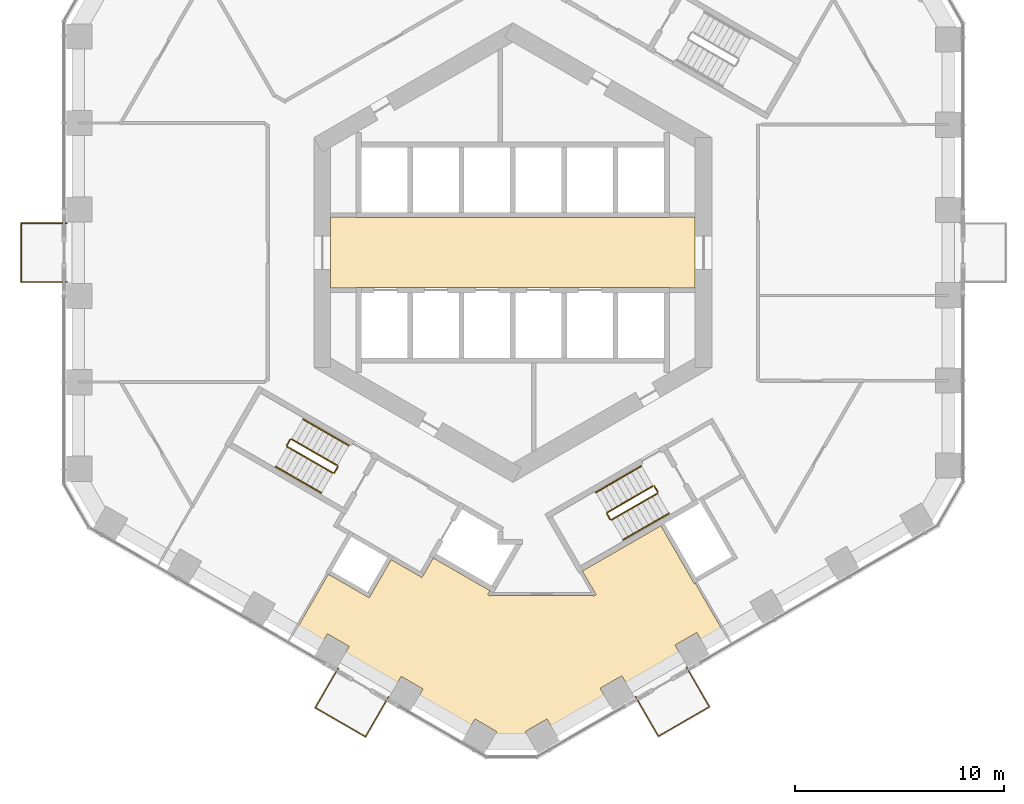
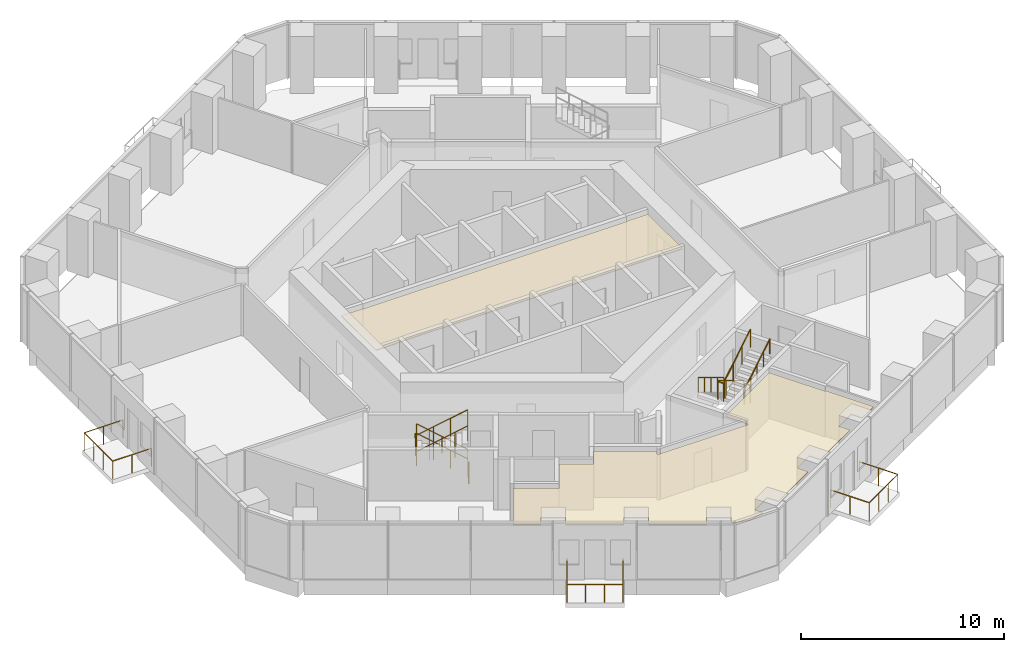
# One storey, part 18 of 20: 19 railings, 2 coverings.
"""IFC4 building model written with IfcOpenShell, lengths in metres."""

from ifc_helpers import new_model, si_unit, direction, frame, origin, origin_2d, place, context, subcontext, project, spatial, polyline, circle, outline, extrude, material, layer, layer_set, type_object, element, save


model = new_model("IFC4")

# Units and contexts
model_context = context("Model", 3, precision=1e-05, world=origin(), true_north=direction((0.0, 1.0)))
body_context = subcontext(model_context, "Body", "Model", "MODEL_VIEW")
ifc_project = project(units=[si_unit("LENGTHUNIT", "METRE"), si_unit("AREAUNIT", "SQUARE_METRE"), si_unit("VOLUMEUNIT", "CUBIC_METRE"), si_unit("PLANEANGLEUNIT", "RADIAN"), si_unit("MASSUNIT", "GRAM", prefix="KILO")], contexts=[model_context])

# Site, building, storey
site_placement = place(None, origin())
site = spatial("IfcSite", under=ifc_project, at=site_placement, CompositionType="ELEMENT")
building_placement = place(site_placement, origin())
building = spatial("IfcBuilding", under=site, at=building_placement, Name="Ayvan Gate Tower", CompositionType="ELEMENT")
storey_placement = place(building_placement, frame((0.0, 0.0, 28.89990234375)))
storey = spatial("IfcBuildingStorey", under=building, at=storey_placement, Name="L06", CompositionType="ELEMENT", Elevation=28.89990234375)

# Railings
ifc_material_1 = material(Name="Stainless steel 316 and laminated glass", Category="steel")
railing_type_1 = type_object("IfcRailingType", Name="Balcony balustrade 1100", PredefinedType="BALUSTRADE", material=ifc_material_1)
railing_1_placement = place(storey_placement, frame((-21.275390625, 1.400390625, 0.0)))
element("IfcRailing", 1, at=railing_1_placement, inside=storey, type_object=railing_type_1, Name="Balcony balustrade BAL-L06-3", PredefinedType="BALUSTRADE", context=body_context, shape_type="SweptSolid", body=[
    extrude(circle(Radius=0.02490234375, at=origin_2d()), frame((0.0, 0.0, 1.0751953125), z_axis=(-1.0, 0.0, 0.0), x_axis=(0.0, -1.0, 0.0)), (0.0, 0.0, 1.0), 2.18994140625),
    extrude(circle(Radius=0.02490234375, at=origin_2d()), frame((-2.18994140625, 0.0, 1.0751953125), z_axis=(0.0, -1.0, 0.0), x_axis=(1.0, 0.0, 0.0)), (0.0, 0.0, 1.0), 2.80078125),
    extrude(circle(Radius=0.02490234375, at=origin_2d()), frame((-2.18994140625, -2.80078125, 1.0751953125), z_axis=(1.0, 0.0, 0.0), x_axis=(0.0, 1.0, 0.0)), (0.0, 0.0, 1.0), 2.18994140625),
    extrude(circle(Radius=0.02001953125, at=origin_2d()), origin(), (0.0, 0.0, 1.0), 1.050048828125),
    extrude(circle(Radius=0.02001953125, at=origin_2d()), frame((-1.094970703125, 0.0, 0.0)), (0.0, 0.0, 1.0), 1.050048828125),
    extrude(circle(Radius=0.02001953125, at=origin_2d()), frame((-2.18994140625, 0.0, 0.0)), (0.0, 0.0, 1.0), 1.050048828125),
    extrude(circle(Radius=0.02001953125, at=origin_2d()), frame((-2.18994140625, -0.93359375, 0.0)), (0.0, 0.0, 1.0), 1.050048828125),
    extrude(circle(Radius=0.02001953125, at=origin_2d()), frame((-2.18994140625, -1.8671875, 0.0)), (0.0, 0.0, 1.0), 1.050048828125),
    extrude(circle(Radius=0.02001953125, at=origin_2d()), frame((-2.18994140625, -2.80078125, 0.0)), (0.0, 0.0, 1.0), 1.050048828125),
    extrude(circle(Radius=0.02001953125, at=origin_2d()), frame((-1.094970703125, -2.80078125, 0.0)), (0.0, 0.0, 1.0), 1.050048828125),
    extrude(circle(Radius=0.02001953125, at=origin_2d()), frame((0.0, -2.80078125, 0.0)), (0.0, 0.0, 1.0), 1.050048828125),
])
railing_2_placement = place(storey_placement, frame((-8.3291015625, -19.826171875, 0.0)))
element("IfcRailing", 2, at=railing_2_placement, inside=storey, type_object=railing_type_1, Name="Balcony balustrade BAL-L06-4", PredefinedType="BALUSTRADE", context=body_context, shape_type="SweptSolid", body=[
    extrude(circle(Radius=0.02490234375, at=origin_2d()), frame((0.0, 0.0, 1.0751953125), z_axis=(-0.499963694393, -0.866046363822, 0.0), x_axis=(0.866046363822, -0.499963694393, 0.0)), (0.0, 0.0, 1.0), 2.190185546875),
    extrude(circle(Radius=0.02490234375, at=origin_2d()), frame((-1.094970703125, -1.896728515625, 1.0751953125), z_axis=(0.866013213425, -0.500021113727, 0.0), x_axis=(0.500021113727, 0.866013213425, 0.0)), (0.0, 0.0, 1.0), 2.759765625),
    extrude(circle(Radius=0.02490234375, at=origin_2d()), frame((1.294921875, -3.276611328125, 1.0751953125), z_axis=(0.500047297419, 0.865998094884, 0.0), x_axis=(-0.865998094884, 0.500047297419, 0.0)), (0.0, 0.0, 1.0), 2.190185546875),
    extrude(circle(Radius=0.02001953125, at=origin_2d()), origin(), (0.0, 0.0, 1.0), 1.050048828125),
    extrude(circle(Radius=0.02001953125, at=origin_2d()), frame((-0.54736328125, -0.9482421875, 0.0)), (0.0, 0.0, 1.0), 1.050048828125),
    extrude(circle(Radius=0.02001953125, at=origin_2d()), frame((-1.094970703125, -1.896728515625, 0.0)), (0.0, 0.0, 1.0), 1.050048828125),
    extrude(circle(Radius=0.02001953125, at=origin_2d()), frame((-0.29833984375, -2.356689453125, 0.0)), (0.0, 0.0, 1.0), 1.050048828125),
    extrude(circle(Radius=0.02001953125, at=origin_2d()), frame((0.498291015625, -2.816650390625, 0.0)), (0.0, 0.0, 1.0), 1.050048828125),
    extrude(circle(Radius=0.02001953125, at=origin_2d()), frame((1.294921875, -3.276611328125, 0.0)), (0.0, 0.0, 1.0), 1.050048828125),
    extrude(circle(Radius=0.02001953125, at=origin_2d()), frame((1.842529296875, -2.328125, 0.0)), (0.0, 0.0, 1.0), 1.050048828125),
    extrude(circle(Radius=0.02001953125, at=origin_2d()), frame((2.39013671875, -1.3798828125, 0.0)), (0.0, 0.0, 1.0), 1.050048828125),
])
railing_3_placement = place(storey_placement, frame((5.85595703125, -21.185546875, 0.0)))
element("IfcRailing", 3, at=railing_3_placement, inside=storey, type_object=railing_type_1, Name="Balcony balustrade BAL-L06-5", PredefinedType="BALUSTRADE", context=body_context, shape_type="SweptSolid", body=[
    extrude(circle(Radius=0.02490234375, at=origin_2d()), frame((0.0, 0.0, 1.0751953125), z_axis=(0.500095571584, -0.865970218473, 0.0), x_axis=(0.865970218473, 0.500095571584, 0.0)), (0.0, 0.0, 1.0), 2.18994140625),
    extrude(circle(Radius=0.02490234375, at=origin_2d()), frame((1.09521484375, -1.896484375, 1.0751953125), z_axis=(0.866024457297, 0.500001639361, 0.0), x_axis=(-0.500001639361, 0.866024457297, 0.0)), (0.0, 0.0, 1.0), 2.80078125),
    extrude(circle(Radius=0.02490234375, at=origin_2d()), frame((3.520751953125, -0.49609375, 1.0751953125), z_axis=(-0.500011965869, 0.866018495177, 0.0), x_axis=(-0.866018495177, -0.500011965869, 0.0)), (0.0, 0.0, 1.0), 2.18994140625),
    extrude(circle(Radius=0.02001953125, at=origin_2d()), origin(), (0.0, 0.0, 1.0), 1.050048828125),
    extrude(circle(Radius=0.02001953125, at=origin_2d()), frame((0.547607421875, -0.9482421875, 0.0)), (0.0, 0.0, 1.0), 1.050048828125),
    extrude(circle(Radius=0.02001953125, at=origin_2d()), frame((1.09521484375, -1.896484375, 0.0)), (0.0, 0.0, 1.0), 1.050048828125),
    extrude(circle(Radius=0.02001953125, at=origin_2d()), frame((1.90380859375, -1.4296875, 0.0)), (0.0, 0.0, 1.0), 1.050048828125),
    extrude(circle(Radius=0.02001953125, at=origin_2d()), frame((2.712158203125, -0.962890625, 0.0)), (0.0, 0.0, 1.0), 1.050048828125),
    extrude(circle(Radius=0.02001953125, at=origin_2d()), frame((3.520751953125, -0.49609375, 0.0)), (0.0, 0.0, 1.0), 1.050048828125),
    extrude(circle(Radius=0.02001953125, at=origin_2d()), frame((2.97314453125, 0.4521484375, 0.0)), (0.0, 0.0, 1.0), 1.050048828125),
    extrude(circle(Radius=0.02001953125, at=origin_2d()), frame((2.42578125, 1.400390625, 0.0)), (0.0, 0.0, 1.0), 1.050048828125),
])

# Coverings
ifc_material_2 = material(Name="Plasterboard suspended ceiling")
ifc_layer = layer(ifc_material_2, 0.050048828125)
ifc_layer_set = layer_set([ifc_layer], Name="Plasterboard suspended ceiling")
covering_type = type_object("IfcCoveringType", Name="CT-SUSP-50", PredefinedType="CEILING", material=ifc_layer_set)
covering_1_placement = place(storey_placement, frame((0.0, 0.0, 2.7001953125)))
element("IfcCovering", 4, at=covering_1_placement, inside=storey, type_object=covering_type, Name="Ceiling Lift Lobby L06", PredefinedType="CEILING", context=body_context, shape_type="SweptSolid", body=[
    extrude(outline(polyline([(7.47509765625, -1.675048828125), (-7.47509765625, -1.675048828125), (-7.47509765625, -1.699951171875), (-8.699951171875, -1.699951171875), (-8.699951171875, 1.699951171875), (-7.47509765625, 1.699951171875), (-7.47509765625, 1.675048828125), (7.47509765625, 1.675048828125), (7.47509765625, 1.699951171875), (8.699951171875, 1.699951171875), (8.699951171875, -1.699951171875), (7.47509765625, -1.699951171875), (7.47509765625, -1.675048828125)])), origin(), (0.0, 0.0, 1.0), 0.0498046875),
])
covering_2_placement = place(storey_placement, frame((0.0, 0.0, 2.7001953125)))
element("IfcCovering", 5, at=covering_2_placement, inside=storey, type_object=covering_type, Name="Ceiling Shared Kitchen L06", PredefinedType="CEILING", context=body_context, shape_type="SweptSolid", body=[
    extrude(outline(polyline([(-6.858154296875, -16.478515625), (-6.76806640625, -16.32275390625), (-5.80810546875, -14.659912109375), (-4.3359375, -15.510009765625), (-4.245849609375, -15.35400390625), (-4.235595703125, -15.33642578125), (-3.798583984375, -14.5791015625), (-3.775390625, -14.59228515625), (-1.092041015625, -16.1416015625), (-1.200439453125, -16.3291015625), (-1.0703125, -16.404052734375), (-1.02294921875, -16.32177734375), (-1.02294921875, -16.376708984375), (3.794189453125, -16.376708984375), (3.794189453125, -16.32177734375), (3.841796875, -16.404052734375), (3.9716796875, -16.3291015625), (3.320556640625, -15.201416015625), (3.346435546875, -15.186279296875), (7.066162109375, -13.038818359375), (8.653564453125, -15.78857421875), (8.697021484375, -15.763427734375), (10.0595703125, -18.12353515625), (9.094970703125, -18.680419921875), (8.780029296875, -18.13525390625), (7.74072265625, -18.735107421875), (8.0556640625, -19.280517578125), (6.206298828125, -20.34814453125), (5.520263671875, -20.744384765625), (5.205322265625, -20.19921875), (4.166015625, -20.799072265625), (4.48095703125, -21.344482421875), (1.9453125, -22.808349609375), (1.630615234375, -22.262939453125), (0.59130859375, -22.863037109375), (0.823486328125, -23.26513671875), (-0.059326171875, -23.501708984375), (-0.99365234375, -23.251220703125), (-0.769287109375, -22.863037109375), (-1.80859375, -22.262939453125), (-2.108642578125, -22.78271484375), (-4.156982421875, -21.60009765625), (-4.5908203125, -21.349609375), (-4.290771484375, -20.829833984375), (-5.329833984375, -20.22998046875), (-5.6298828125, -20.74951171875), (-8.112060546875, -19.31640625), (-7.81201171875, -18.796875), (-8.851318359375, -18.197021484375), (-9.1513671875, -18.716552734375), (-10.34912109375, -18.02490234375), (-8.806640625, -15.353515625), (-8.763427734375, -15.378662109375), (-6.858154296875, -16.478515625)])), origin(), (0.0, 0.0, 1.0), 0.0498046875),
])

# Railings
ifc_material_3 = material(Name="Stainless steel balustrade", Category="steel")
railing_type_2 = type_object("IfcRailingType", Name="RL-GUARD-1100", PredefinedType="GUARDRAIL", material=ifc_material_3)
railing_4_placement = place(storey_placement, frame((-8.381103515625, -10.16650390625, 0.170166015625)))
element("IfcRailing", 6, at=railing_4_placement, inside=storey, type_object=railing_type_2, Name="L06 STS2 stair guard 1", PredefinedType="GUARDRAIL", context=body_context, shape_type="SweptSolid", body=[
    extrude(circle(Radius=0.02392578125, at=origin_2d()), frame((0.0, 0.0, 1.076171875), z_axis=(-0.740261155115, 0.427395438142, 0.518986090067), x_axis=(-0.500004791531, -0.866022637375, 0.0)), (0.0, 0.0, 1.0), 2.947998046875),
    extrude(circle(Radius=0.02099609375, at=origin_2d()), origin(), (0.0, 0.0, 1.0), 1.052001953125),
    extrude(circle(Radius=0.02099609375, at=origin_2d()), frame((-0.7275390625, 0.419921875, 0.510009765625)), (0.0, 0.0, 1.0), 1.052001953125),
    extrude(circle(Radius=0.02099609375, at=origin_2d()), frame((-1.454833984375, 0.840087890625, 1.02001953125)), (0.0, 0.0, 1.0), 1.052001953125),
    extrude(circle(Radius=0.02099609375, at=origin_2d()), frame((-2.182373046875, 1.260009765625, 1.530029296875)), (0.0, 0.0, 1.0), 1.052001953125),
])
railing_5_placement = place(storey_placement, frame((-10.6318359375, -8.9248046875, 1.7001953125)))
element("IfcRailing", 7, at=railing_5_placement, inside=storey, type_object=railing_type_2, Name="L06 STS2 stair guard 2", PredefinedType="GUARDRAIL", context=body_context, shape_type="SweptSolid", body=[
    extrude(circle(Radius=0.02392578125, at=origin_2d()), frame((0.0, 0.0, 1.076171875), z_axis=(-0.499949632511, -0.866054481515, 0.0), x_axis=(0.866054481515, -0.499949632511, 0.0)), (0.0, 0.0, 1.0), 0.31005859375),
    extrude(circle(Radius=0.02099609375, at=origin_2d()), origin(), (0.0, 0.0, 1.0), 1.052001953125),
    extrude(circle(Radius=0.02099609375, at=origin_2d()), frame((-0.155029296875, -0.2685546875, 0.0)), (0.0, 0.0, 1.0), 1.052001953125),
])
railing_6_placement = place(storey_placement, frame((-10.7685546875, -9.261474609375, 1.8701171875)))
element("IfcRailing", 8, at=railing_6_placement, inside=storey, type_object=railing_type_2, Name="L06 STS2 stair guard 3", PredefinedType="GUARDRAIL", context=body_context, shape_type="SweptSolid", body=[
    extrude(circle(Radius=0.02392578125, at=origin_2d()), frame((0.0, 0.0, 1.076171875), z_axis=(0.740261155115, -0.427395438142, 0.518986090067), x_axis=(0.500004791531, 0.866022637375, 0.0)), (0.0, 0.0, 1.0), 2.947998046875),
    extrude(circle(Radius=0.02099609375, at=origin_2d()), origin(), (0.0, 0.0, 1.0), 1.052001953125),
    extrude(circle(Radius=0.02099609375, at=origin_2d()), frame((0.7275390625, -0.419921875, 0.510009765625)), (0.0, 0.0, 1.0), 1.052001953125),
    extrude(circle(Radius=0.02099609375, at=origin_2d()), frame((1.454833984375, -0.840087890625, 1.02001953125)), (0.0, 0.0, 1.0), 1.052001953125),
    extrude(circle(Radius=0.02099609375, at=origin_2d()), frame((2.182373046875, -1.260009765625, 1.530029296875)), (0.0, 0.0, 1.0), 1.052001953125),
])
railing_7_placement = place(storey_placement, frame((-8.36279296875, -10.23486328125, 0.0)))
element("IfcRailing", 9, at=railing_7_placement, inside=storey, type_object=railing_type_2, Name="L06 STS2 stair guard 4", PredefinedType="GUARDRAIL", context=body_context, shape_type="SweptSolid", body=[
    extrude(circle(Radius=0.02392578125, at=origin_2d()), frame((0.0, 0.0, 1.076171875), z_axis=(-0.500290723946, -0.86585748916, 0.0), x_axis=(0.86585748916, -0.500290723946, 0.0)), (0.0, 0.0, 1.0), 0.309814453125),
    extrude(circle(Radius=0.02099609375, at=origin_2d()), origin(), (0.0, 0.0, 1.0), 1.052001953125),
    extrude(circle(Radius=0.02099609375, at=origin_2d()), frame((-0.155029296875, -0.268310546875, 0.0)), (0.0, 0.0, 1.0), 1.052001953125),
])
railing_8_placement = place(storey_placement, frame((6.6923828125, -11.1416015625, 0.170166015625)))
element("IfcRailing", 10, at=railing_8_placement, inside=storey, type_object=railing_type_2, Name="L06 STS3 stair guard 1", PredefinedType="GUARDRAIL", context=body_context, shape_type="SweptSolid", body=[
    extrude(circle(Radius=0.02392578125, at=origin_2d()), frame((0.0, 0.0, 1.076171875), z_axis=(-0.740261155115, -0.427395438142, 0.518986090067), x_axis=(0.500004791531, -0.866022637375, 0.0)), (0.0, 0.0, 1.0), 2.947998046875),
    extrude(circle(Radius=0.02099609375, at=origin_2d()), origin(), (0.0, 0.0, 1.0), 1.052001953125),
    extrude(circle(Radius=0.02099609375, at=origin_2d()), frame((-0.7275390625, -0.419921875, 0.510009765625)), (0.0, 0.0, 1.0), 1.052001953125),
    extrude(circle(Radius=0.02099609375, at=origin_2d()), frame((-1.454833984375, -0.840087890625, 1.02001953125)), (0.0, 0.0, 1.0), 1.052001953125),
    extrude(circle(Radius=0.02099609375, at=origin_2d()), frame((-2.182373046875, -1.260009765625, 1.530029296875)), (0.0, 0.0, 1.0), 1.052001953125),
])
railing_9_placement = place(storey_placement, frame((4.49169921875, -12.4697265625, 1.7001953125)))
element("IfcRailing", 11, at=railing_9_placement, inside=storey, type_object=railing_type_2, Name="L06 STS3 stair guard 2", PredefinedType="GUARDRAIL", context=body_context, shape_type="SweptSolid", body=[
    extrude(circle(Radius=0.02392578125, at=origin_2d()), frame((0.0, 0.0, 1.076171875), z_axis=(0.499949632511, -0.866054481515, 0.0), x_axis=(0.866054481515, 0.499949632511, 0.0)), (0.0, 0.0, 1.0), 0.31005859375),
    extrude(circle(Radius=0.02099609375, at=origin_2d()), origin(), (0.0, 0.0, 1.0), 1.052001953125),
    extrude(circle(Radius=0.02099609375, at=origin_2d()), frame((0.155029296875, -0.2685546875, 0.0)), (0.0, 0.0, 1.0), 1.052001953125),
])
railing_10_placement = place(storey_placement, frame((4.715087890625, -12.756591796875, 1.8701171875)))
element("IfcRailing", 12, at=railing_10_placement, inside=storey, type_object=railing_type_2, Name="L06 STS3 stair guard 3", PredefinedType="GUARDRAIL", context=body_context, shape_type="SweptSolid", body=[
    extrude(circle(Radius=0.02392578125, at=origin_2d()), frame((0.0, 0.0, 1.076171875), z_axis=(0.740261155115, 0.427395438142, 0.518986090067), x_axis=(-0.500004791531, 0.866022637375, 0.0)), (0.0, 0.0, 1.0), 2.947998046875),
    extrude(circle(Radius=0.02099609375, at=origin_2d()), origin(), (0.0, 0.0, 1.0), 1.052001953125),
    extrude(circle(Radius=0.02099609375, at=origin_2d()), frame((0.7275390625, 0.419921875, 0.510009765625)), (0.0, 0.0, 1.0), 1.052001953125),
    extrude(circle(Radius=0.02099609375, at=origin_2d()), frame((1.454833984375, 0.840087890625, 1.02001953125)), (0.0, 0.0, 1.0), 1.052001953125),
    extrude(circle(Radius=0.02099609375, at=origin_2d()), frame((2.182373046875, 1.260009765625, 1.530029296875)), (0.0, 0.0, 1.0), 1.052001953125),
])
railing_11_placement = place(storey_placement, frame((6.7607421875, -11.159912109375, 0.0)))
element("IfcRailing", 13, at=railing_11_placement, inside=storey, type_object=railing_type_2, Name="L06 STS3 stair guard 4", PredefinedType="GUARDRAIL", context=body_context, shape_type="SweptSolid", body=[
    extrude(circle(Radius=0.02392578125, at=origin_2d()), frame((0.0, 0.0, 1.076171875), z_axis=(0.500290723946, -0.86585748916, 0.0), x_axis=(0.86585748916, 0.500290723946, 0.0)), (0.0, 0.0, 1.0), 0.309814453125),
    extrude(circle(Radius=0.02099609375, at=origin_2d()), origin(), (0.0, 0.0, 1.0), 1.052001953125),
    extrude(circle(Radius=0.02099609375, at=origin_2d()), frame((0.155029296875, -0.268310546875, 0.0)), (0.0, 0.0, 1.0), 1.052001953125),
])
railing_type_3 = type_object("IfcRailingType", Name="RL-HANDRAIL-900", PredefinedType="HANDRAIL", material=ifc_material_3)
railing_12_placement = place(storey_placement, frame((-7.8310546875, -9.2138671875, 0.170166015625)))
element("IfcRailing", 14, at=railing_12_placement, inside=storey, type_object=railing_type_3, Name="L06 STS2 stair handrail 1", PredefinedType="HANDRAIL", context=body_context, shape_type="SweptSolid", body=[
    extrude(circle(Radius=0.02392578125, at=origin_2d()), frame((0.0, 0.0, 0.8759765625), z_axis=(-0.740356597536, 0.427319915356, 0.518912129772), x_axis=(-0.499890179513, -0.866088799389, 0.0)), (0.0, 0.0, 1.0), 1.47412109375),
    extrude(circle(Radius=0.02099609375, at=origin_2d()), origin(), (0.0, 0.0, 1.0), 0.851806640625),
    extrude(circle(Radius=0.02099609375, at=origin_2d()), frame((-0.545654296875, 0.31494140625, 0.38232421875)), (0.0, 0.0, 1.0), 0.851806640625),
    extrude(circle(Radius=0.02099609375, at=origin_2d()), frame((-1.09130859375, 0.6298828125, 0.764892578125)), (0.0, 0.0, 1.0), 0.851806640625),
])
railing_13_placement = place(storey_placement, frame((-8.92236328125, -8.583984375, 0.93505859375)))
element("IfcRailing", 15, at=railing_13_placement, inside=storey, type_object=railing_type_3, Name="L06 STS2 stair handrail 2", PredefinedType="HANDRAIL", context=body_context, shape_type="SweptSolid", body=[
    extrude(circle(Radius=0.02392578125, at=origin_2d()), frame((0.0, 0.0, 0.8759765625), z_axis=(-0.740165700939, 0.427470949681, 0.519060037311), x_axis=(-0.50011940292, -0.865956455501, 0.0)), (0.0, 0.0, 1.0), 1.47412109375),
    extrude(circle(Radius=0.02099609375, at=origin_2d()), origin(), (0.0, 0.0, 1.0), 0.851806640625),
    extrude(circle(Radius=0.02099609375, at=origin_2d()), frame((-0.54541015625, 0.31494140625, 0.382568359375)), (0.0, 0.0, 1.0), 0.851806640625),
    extrude(circle(Radius=0.02099609375, at=origin_2d()), frame((-1.091064453125, 0.630126953125, 0.76513671875)), (0.0, 0.0, 1.0), 0.851806640625),
])
railing_14_placement = place(storey_placement, frame((-11.318603515625, -10.214111328125, 1.8701171875)))
element("IfcRailing", 16, at=railing_14_placement, inside=storey, type_object=railing_type_3, Name="L06 STS2 stair handrail 3", PredefinedType="HANDRAIL", context=body_context, shape_type="SweptSolid", body=[
    extrude(circle(Radius=0.02392578125, at=origin_2d()), frame((0.0, 0.0, 0.8759765625), z_axis=(0.740304193401, -0.427455284825, 0.518875399983), x_axis=(0.500035496587, 0.86600490885, 0.0)), (0.0, 0.0, 1.0), 1.47412109375),
    extrude(circle(Radius=0.02099609375, at=origin_2d()), origin(), (0.0, 0.0, 1.0), 0.851806640625),
    extrude(circle(Radius=0.02099609375, at=origin_2d()), frame((0.545654296875, -0.31494140625, 0.38232421875)), (0.0, 0.0, 1.0), 0.851806640625),
    extrude(circle(Radius=0.02099609375, at=origin_2d()), frame((1.09130859375, -0.630126953125, 0.764892578125)), (0.0, 0.0, 1.0), 0.851806640625),
])
railing_15_placement = place(storey_placement, frame((-10.227294921875, -10.84423828125, 2.635009765625)))
element("IfcRailing", 17, at=railing_15_placement, inside=storey, type_object=railing_type_3, Name="L06 STS2 stair handrail 4", PredefinedType="HANDRAIL", context=body_context, shape_type="SweptSolid", body=[
    extrude(circle(Radius=0.02392578125, at=origin_2d()), frame((0.0, 0.0, 0.8759765625), z_axis=(0.740292964666, -0.42728318766, 0.519033143459), x_axis=(0.499890179513, 0.866088799389, 0.0)), (0.0, 0.0, 1.0), 1.47412109375),
    extrude(circle(Radius=0.02099609375, at=origin_2d()), origin(), (0.0, 0.0, 1.0), 0.851806640625),
    extrude(circle(Radius=0.02099609375, at=origin_2d()), frame((0.545654296875, -0.31494140625, 0.382568359375)), (0.0, 0.0, 1.0), 0.851806640625),
    extrude(circle(Radius=0.02099609375, at=origin_2d()), frame((1.09130859375, -0.6298828125, 0.76513671875)), (0.0, 0.0, 1.0), 0.851806640625),
])
railing_16_placement = place(storey_placement, frame((6.142333984375, -10.18896484375, 0.170166015625)))
element("IfcRailing", 18, at=railing_16_placement, inside=storey, type_object=railing_type_3, Name="L06 STS3 stair handrail 1", PredefinedType="HANDRAIL", context=body_context, shape_type="SweptSolid", body=[
    extrude(circle(Radius=0.02392578125, at=origin_2d()), frame((0.0, 0.0, 0.8759765625), z_axis=(-0.740281741151, -0.427372318678, 0.518975765278), x_axis=(0.499974077718, -0.866040369504, 0.0)), (0.0, 0.0, 1.0), 1.473876953125),
    extrude(circle(Radius=0.02099609375, at=origin_2d()), origin(), (0.0, 0.0, 1.0), 0.851806640625),
    extrude(circle(Radius=0.02099609375, at=origin_2d()), frame((-0.54541015625, -0.31494140625, 0.38232421875)), (0.0, 0.0, 1.0), 0.851806640625),
    extrude(circle(Radius=0.02099609375, at=origin_2d()), frame((-1.091064453125, -0.6298828125, 0.764892578125)), (0.0, 0.0, 1.0), 0.851806640625),
])
railing_17_placement = place(storey_placement, frame((5.05126953125, -10.81884765625, 0.93505859375)))
element("IfcRailing", 19, at=railing_17_placement, inside=storey, type_object=railing_type_3, Name="L06 STS3 stair handrail 2", PredefinedType="HANDRAIL", context=body_context, shape_type="SweptSolid", body=[
    extrude(circle(Radius=0.02392578125, at=origin_2d()), frame((0.0, 0.0, 0.8759765625), z_axis=(-0.740240574041, -0.427418550694, 0.518996411419), x_axis=(0.500035496587, -0.86600490885, 0.0)), (0.0, 0.0, 1.0), 1.474365234375),
    extrude(circle(Radius=0.02099609375, at=origin_2d()), origin(), (0.0, 0.0, 1.0), 0.851806640625),
    extrude(circle(Radius=0.02099609375, at=origin_2d()), frame((-0.545654296875, -0.31494140625, 0.382568359375)), (0.0, 0.0, 1.0), 0.851806640625),
    extrude(circle(Radius=0.02099609375, at=origin_2d()), frame((-1.09130859375, -0.630126953125, 0.76513671875)), (0.0, 0.0, 1.0), 0.851806640625),
])
railing_18_placement = place(storey_placement, frame((5.264892578125, -13.709228515625, 1.8701171875)))
element("IfcRailing", 20, at=railing_18_placement, inside=storey, type_object=railing_type_3, Name="L06 STS3 stair handrail 3", PredefinedType="HANDRAIL", context=body_context, shape_type="SweptSolid", body=[
    extrude(circle(Radius=0.02392578125, at=origin_2d()), frame((0.0, 0.0, 0.8759765625), z_axis=(0.740304193401, 0.427455284825, 0.518875399983), x_axis=(-0.500035496587, 0.86600490885, 0.0)), (0.0, 0.0, 1.0), 1.47412109375),
    extrude(circle(Radius=0.02099609375, at=origin_2d()), origin(), (0.0, 0.0, 1.0), 0.851806640625),
    extrude(circle(Radius=0.02099609375, at=origin_2d()), frame((0.545654296875, 0.31494140625, 0.38232421875)), (0.0, 0.0, 1.0), 0.851806640625),
    extrude(circle(Radius=0.02099609375, at=origin_2d()), frame((1.09130859375, 0.630126953125, 0.764892578125)), (0.0, 0.0, 1.0), 0.851806640625),
])
railing_19_placement = place(storey_placement, frame((6.356201171875, -13.0791015625, 2.635009765625)))
element("IfcRailing", 21, at=railing_19_placement, inside=storey, type_object=railing_type_3, Name="L06 STS3 stair handrail 4", PredefinedType="HANDRAIL", context=body_context, shape_type="SweptSolid", body=[
    extrude(circle(Radius=0.02392578125, at=origin_2d()), frame((0.0, 0.0, 0.8759765625), z_axis=(0.740218099111, 0.427335577468, 0.519096782863), x_axis=(-0.499974077718, 0.866040369504, 0.0)), (0.0, 0.0, 1.0), 1.473876953125),
    extrude(circle(Radius=0.02099609375, at=origin_2d()), origin(), (0.0, 0.0, 1.0), 0.851806640625),
    extrude(circle(Radius=0.02099609375, at=origin_2d()), frame((0.54541015625, 0.31494140625, 0.382568359375)), (0.0, 0.0, 1.0), 0.851806640625),
    extrude(circle(Radius=0.02099609375, at=origin_2d()), frame((1.091064453125, 0.6298828125, 0.76513671875)), (0.0, 0.0, 1.0), 0.851806640625),
])

save(model, "model.ifc")
